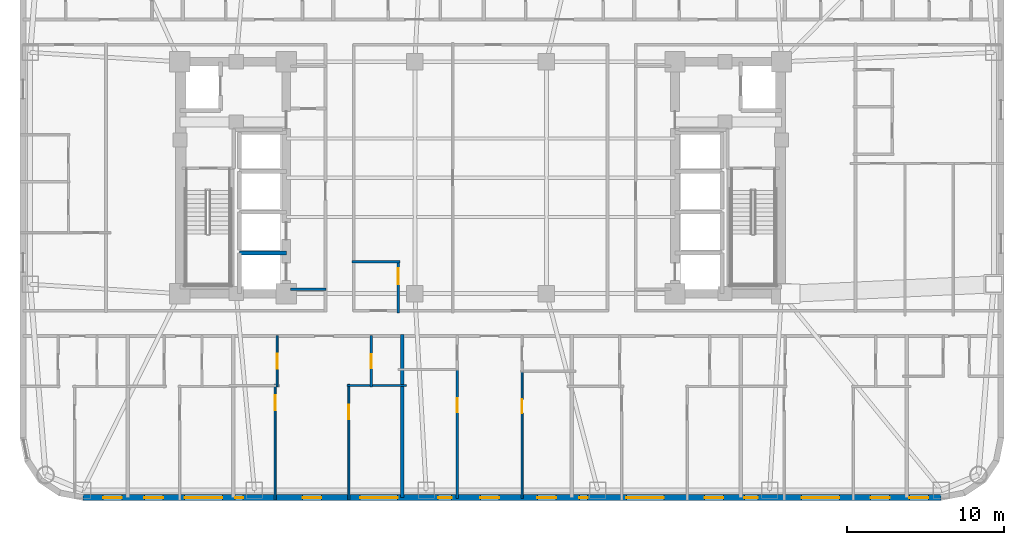
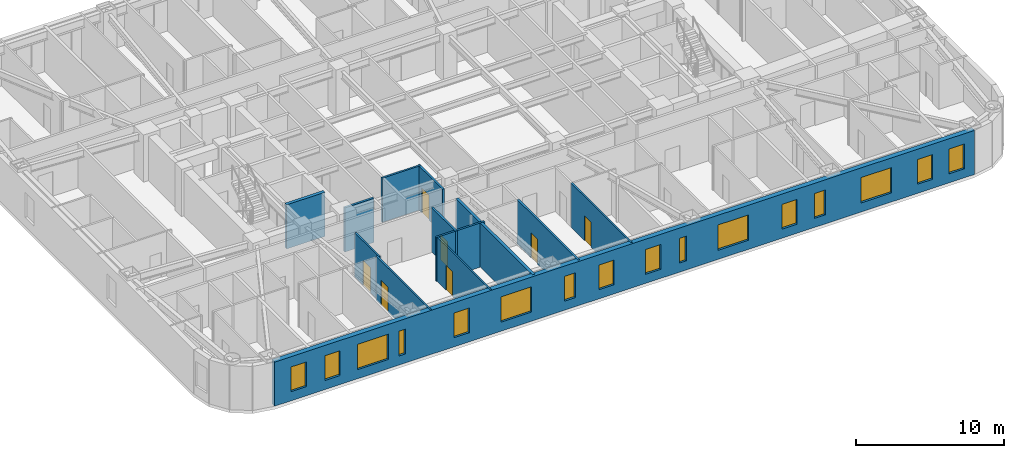
# One storey, part 3 of 11: 16 windows, 13 walls, 7 doors, 23 openings.
"""IFC4 building model written with IfcOpenShell, lengths in metres."""

from ifc_helpers import new_model, si_unit, direction, frame, frame_2d, origin, place, context, subcontext, project, spatial, rectangle, extrude, material, layer, layer_set, type_object, element, fill, save


model = new_model("IFC4")

# Units and contexts
model_context = context("Model", 3, precision=1e-05, world=origin(), true_north=direction((0.0, 1.0)))
body_context = subcontext(model_context, "Body", "Model", "MODEL_VIEW")
ifc_project = project(units=[si_unit("LENGTHUNIT", "METRE"), si_unit("AREAUNIT", "SQUARE_METRE"), si_unit("VOLUMEUNIT", "CUBIC_METRE"), si_unit("PLANEANGLEUNIT", "RADIAN"), si_unit("MASSUNIT", "GRAM", prefix="KILO")], contexts=[model_context])

# Site, building, storey
site_placement = place(None, origin())
site = spatial("IfcSite", under=ifc_project, at=site_placement, CompositionType="ELEMENT")
building_placement = place(site_placement, origin())
building = spatial("IfcBuilding", under=site, at=building_placement, Name="Voryun Gate Residences", CompositionType="ELEMENT")
storey_placement = place(building_placement, frame((0.0, 0.0, 105.300048828125)))
storey = spatial("IfcBuildingStorey", under=building, at=storey_placement, Name="L25", CompositionType="ELEMENT", Elevation=105.300048828125)

# Wall
ifc_material_1 = material(Name="Gypsum acoustic fireboard")
ifc_layer_1 = layer(ifc_material_1, 0.179931640625, Name="W_CORR_RATED_180")
ifc_layer_set_1 = layer_set([ifc_layer_1], Name="Gypsum acoustic fireboard")
wall_type_1 = type_object("IfcWallType", Name="W_CORR_RATED_180", PredefinedType="PARTITIONING", material=ifc_layer_set_1)
wall_1_placement = place(storey_placement, frame((-12.14990234375, -7.1201171875, 0.0), z_axis=(0.0, 0.0, 1.0), x_axis=(1.0, 0.0, 0.0)))
element("IfcWall", 1, at=wall_1_placement, inside=storey, type_object=wall_type_1, Name="Partition wall WP-L25-PLBS-W", PredefinedType="PARTITIONING", context=body_context, shape_type="SweptSolid", body=[
    extrude(rectangle(XDim=2.27001953125, YDim=0.179931640625, at=frame_2d((1.135009765625, 0.0))), origin(), (0.0, 0.0, 1.0), 3.64990234375),
])

# Wall, openings, windows
ifc_material_2 = material(Name="Granite masonry", Category="masonry")
ifc_layer_2 = layer(ifc_material_2, 0.3798828125, Name="W_EXT_GRANITE_380")
ifc_layer_set_2 = layer_set([ifc_layer_2], Name="Granite masonry")
wall_type_2 = type_object("IfcWallType", Name="W_EXT_GRANITE_380", PredefinedType="ELEMENTEDWALL", material=ifc_layer_set_2)
wall_2_placement = place(storey_placement, frame((29.38134765625, -20.409912109375, 0.0), z_axis=(0.0, 0.0, 1.0), x_axis=(-1.0, 0.0, 0.0)))
wall_2 = element("IfcWall", 2, at=wall_2_placement, inside=storey, type_object=wall_type_2, Name="Exterior wall WEXT-L25-01", PredefinedType="ELEMENTEDWALL", context=body_context, shape_type="SweptSolid", body=[
    extrude(rectangle(XDim=54.7626953125, YDim=0.3798828125, at=frame_2d((27.38134765625, 0.0))), origin(), (0.0, 0.0, 1.0), 3.64990234375),
])
opening_1_placement = place(wall_2_placement, frame((6.495361328125, 0.0, 0.75)))
opening_1 = element("IfcOpeningElement", 3, at=opening_1_placement, cuts=wall_2, Name="Opening WN2", PredefinedType="OPENING", context=body_context, shape_type="SweptSolid", body=[
    extrude(rectangle(XDim=2.39990234375, YDim=2.10009765625, at=frame_2d((1.199951171875, 1.050048828125))), frame((0.0, 0.199951171875, 0.0), z_axis=(0.0, -1.0, 0.0), x_axis=(1.0, 0.0, 0.0)), (0.0, 0.0, 1.0), 0.39990234375),
])
opening_2_placement = place(wall_2_placement, frame((17.68603515625, 0.0, 0.75)))
opening_2 = element("IfcOpeningElement", 4, at=opening_2_placement, cuts=wall_2, Name="Opening WN2", PredefinedType="OPENING", context=body_context, shape_type="SweptSolid", body=[
    extrude(rectangle(XDim=2.39990234375, YDim=2.10009765625, at=frame_2d((1.199951171875, 1.050048828125))), frame((0.0, 0.199951171875, 0.0), z_axis=(0.0, -1.0, 0.0), x_axis=(1.0, 0.0, 0.0)), (0.0, 0.0, 1.0), 0.39990234375),
])
opening_3_placement = place(wall_2_placement, frame((34.676513671875, 0.0, 0.75)))
opening_3 = element("IfcOpeningElement", 5, at=opening_3_placement, cuts=wall_2, Name="Opening WN2", PredefinedType="OPENING", context=body_context, shape_type="SweptSolid", body=[
    extrude(rectangle(XDim=2.39990234375, YDim=2.10009765625, at=frame_2d((1.199951171875, 1.050048828125))), frame((0.0, 0.199951171875, 0.0), z_axis=(0.0, -1.0, 0.0), x_axis=(1.0, 0.0, 0.0)), (0.0, 0.0, 1.0), 0.39990234375),
])
opening_4_placement = place(wall_2_placement, frame((45.8671875, 0.0, 0.75)))
opening_4 = element("IfcOpeningElement", 6, at=opening_4_placement, cuts=wall_2, Name="Opening WN2", PredefinedType="OPENING", context=body_context, shape_type="SweptSolid", body=[
    extrude(rectangle(XDim=2.39990234375, YDim=2.10009765625, at=frame_2d((1.199951171875, 1.050048828125))), frame((0.0, 0.199951171875, 0.0), z_axis=(0.0, -1.0, 0.0), x_axis=(1.0, 0.0, 0.0)), (0.0, 0.0, 1.0), 0.39990234375),
])
opening_5_placement = place(wall_2_placement, frame((52.281494140625, 0.0, 0.75)))
opening_5 = element("IfcOpeningElement", 7, at=opening_5_placement, cuts=wall_2, Name="Opening WN6", PredefinedType="OPENING", context=body_context, shape_type="SweptSolid", body=[
    extrude(rectangle(XDim=1.199951171875, YDim=2.050048828125, at=frame_2d((0.60009765625, 1.02490234375))), frame((0.0, 0.199951171875, 0.0), z_axis=(0.0, -1.0, 0.0), x_axis=(1.0, 0.0, 0.0)), (0.0, 0.0, 1.0), 0.39990234375),
])
opening_6_placement = place(wall_2_placement, frame((49.640869140625, 0.0, 0.75)))
opening_6 = element("IfcOpeningElement", 8, at=opening_6_placement, cuts=wall_2, Name="Opening WN6", PredefinedType="OPENING", context=body_context, shape_type="SweptSolid", body=[
    extrude(rectangle(XDim=1.199951171875, YDim=2.050048828125, at=frame_2d((0.60009765625, 1.02490234375))), frame((0.0, 0.199951171875, 0.0), z_axis=(0.0, -1.0, 0.0), x_axis=(1.0, 0.0, 0.0)), (0.0, 0.0, 1.0), 0.39990234375),
])
opening_7_placement = place(wall_2_placement, frame((39.542724609375, 0.0, 0.75)))
opening_7 = element("IfcOpeningElement", 9, at=opening_7_placement, cuts=wall_2, Name="Opening WN6", PredefinedType="OPENING", context=body_context, shape_type="SweptSolid", body=[
    extrude(rectangle(XDim=1.199951171875, YDim=2.050048828125, at=frame_2d((0.60009765625, 1.02490234375))), frame((0.0, 0.199951171875, 0.0), z_axis=(0.0, -1.0, 0.0), x_axis=(1.0, 0.0, 0.0)), (0.0, 0.0, 1.0), 0.39990234375),
])
opening_8_placement = place(wall_2_placement, frame((44.537841796875, 0.0, 0.75)))
opening_8 = element("IfcOpeningElement", 10, at=opening_8_placement, cuts=wall_2, Name="Opening WN10", PredefinedType="OPENING", context=body_context, shape_type="SweptSolid", body=[
    extrude(rectangle(XDim=0.52001953125, YDim=2.050048828125, at=frame_2d((0.260009765625, 1.02490234375))), frame((0.0, 0.199951171875, 0.0), z_axis=(0.0, -1.0, 0.0), x_axis=(1.0, 0.0, 0.0)), (0.0, 0.0, 1.0), 0.39990234375),
])
opening_9_placement = place(wall_2_placement, frame((28.206298828125, 0.0, 0.75)))
opening_9 = element("IfcOpeningElement", 11, at=opening_9_placement, cuts=wall_2, Name="Opening WN6", PredefinedType="OPENING", context=body_context, shape_type="SweptSolid", body=[
    extrude(rectangle(XDim=1.199951171875, YDim=2.050048828125, at=frame_2d((0.60009765625, 1.02490234375))), frame((0.0, 0.199951171875, 0.0), z_axis=(0.0, -1.0, 0.0), x_axis=(1.0, 0.0, 0.0)), (0.0, 0.0, 1.0), 0.39990234375),
])
opening_10_placement = place(wall_2_placement, frame((31.2412109375, 0.0, 0.75)))
opening_10 = element("IfcOpeningElement", 12, at=opening_10_placement, cuts=wall_2, Name="Opening WN9", PredefinedType="OPENING", context=body_context, shape_type="SweptSolid", body=[
    extrude(rectangle(XDim=0.85009765625, YDim=2.050048828125, at=frame_2d((0.425048828125, 1.02490234375))), frame((0.0, 0.199951171875, 0.0), z_axis=(0.0, -1.0, 0.0), x_axis=(1.0, 0.0, 0.0)), (0.0, 0.0, 1.0), 0.39990234375),
])
opening_11_placement = place(wall_2_placement, frame((24.561279296875, 0.0, 0.75)))
opening_11 = element("IfcOpeningElement", 13, at=opening_11_placement, cuts=wall_2, Name="Opening WN6", PredefinedType="OPENING", context=body_context, shape_type="SweptSolid", body=[
    extrude(rectangle(XDim=1.199951171875, YDim=2.050048828125, at=frame_2d((0.60009765625, 1.02490234375))), frame((0.0, 0.199951171875, 0.0), z_axis=(0.0, -1.0, 0.0), x_axis=(1.0, 0.0, 0.0)), (0.0, 0.0, 1.0), 0.39990234375),
])
opening_12_placement = place(wall_2_placement, frame((22.561279296875, 0.0, 0.75)))
opening_12 = element("IfcOpeningElement", 14, at=opening_12_placement, cuts=wall_2, Name="Opening WN10", PredefinedType="OPENING", context=body_context, shape_type="SweptSolid", body=[
    extrude(rectangle(XDim=0.52001953125, YDim=2.050048828125, at=frame_2d((0.260009765625, 1.02490234375))), frame((0.0, 0.199951171875, 0.0), z_axis=(0.0, -1.0, 0.0), x_axis=(1.0, 0.0, 0.0)), (0.0, 0.0, 1.0), 0.39990234375),
])
opening_13_placement = place(wall_2_placement, frame((13.88623046875, 0.0, 0.75)))
opening_13 = element("IfcOpeningElement", 15, at=opening_13_placement, cuts=wall_2, Name="Opening WN6", PredefinedType="OPENING", context=body_context, shape_type="SweptSolid", body=[
    extrude(rectangle(XDim=1.199951171875, YDim=2.050048828125, at=frame_2d((0.60009765625, 1.02490234375))), frame((0.0, 0.199951171875, 0.0), z_axis=(0.0, -1.0, 0.0), x_axis=(1.0, 0.0, 0.0)), (0.0, 0.0, 1.0), 0.39990234375),
])
opening_14_placement = place(wall_2_placement, frame((11.6943359375, 0.0, 0.75)))
opening_14 = element("IfcOpeningElement", 16, at=opening_14_placement, cuts=wall_2, Name="Opening WN9", PredefinedType="OPENING", context=body_context, shape_type="SweptSolid", body=[
    extrude(rectangle(XDim=0.85009765625, YDim=2.050048828125, at=frame_2d((0.425048828125, 1.02490234375))), frame((0.0, 0.199951171875, 0.0), z_axis=(0.0, -1.0, 0.0), x_axis=(1.0, 0.0, 0.0)), (0.0, 0.0, 1.0), 0.39990234375),
])
opening_15_placement = place(wall_2_placement, frame((3.286376953125, 0.0, 0.75)))
opening_15 = element("IfcOpeningElement", 17, at=opening_15_placement, cuts=wall_2, Name="Opening WN6", PredefinedType="OPENING", context=body_context, shape_type="SweptSolid", body=[
    extrude(rectangle(XDim=1.199951171875, YDim=2.050048828125, at=frame_2d((0.60009765625, 1.02490234375))), frame((0.0, 0.199951171875, 0.0), z_axis=(0.0, -1.0, 0.0), x_axis=(1.0, 0.0, 0.0)), (0.0, 0.0, 1.0), 0.39990234375),
])
opening_16_placement = place(wall_2_placement, frame((0.815673828125, 0.0, 0.75)))
opening_16 = element("IfcOpeningElement", 18, at=opening_16_placement, cuts=wall_2, Name="Opening WN6", PredefinedType="OPENING", context=body_context, shape_type="SweptSolid", body=[
    extrude(rectangle(XDim=1.199951171875, YDim=2.050048828125, at=frame_2d((0.60009765625, 1.02490234375))), frame((0.0, 0.199951171875, 0.0), z_axis=(0.0, -1.0, 0.0), x_axis=(1.0, 0.0, 0.0)), (0.0, 0.0, 1.0), 0.39990234375),
])
ifc_material_3 = material(Name="Laminated low-E glass", Category="glass")
window_type_1 = type_object("IfcWindowType", Name="WN_PAGODA_LANCET_520", PartitioningType="SINGLE_PANEL", PredefinedType="WINDOW", material=ifc_material_3)
window_1_placement = place(opening_8_placement, origin())
window_1 = element("IfcWindow", 19, at=window_1_placement, inside=storey, type_object=window_type_1, Name="Window WN-L25-DWFIX-20", OverallHeight=2.050048828125, OverallWidth=0.52001953125, PartitioningType="SINGLE_PANEL", PredefinedType="WINDOW", context=body_context, shape_type="SweptSolid", body=[
    extrude(rectangle(XDim=0.52001953125, YDim=2.050048828125, at=frame_2d((0.260009765625, 1.02490234375))), frame((0.0, 0.030029296875, 0.0), z_axis=(0.0, -1.0, 0.0), x_axis=(1.0, 0.0, 0.0)), (0.0, 0.0, 1.0), 0.06005859375),
])
fill(opening_8, window_1)
window_2_placement = place(opening_12_placement, origin())
window_2 = element("IfcWindow", 20, at=window_2_placement, inside=storey, type_object=window_type_1, Name="Window WN-L25-DWFIX-24", OverallHeight=2.050048828125, OverallWidth=0.52001953125, PartitioningType="SINGLE_PANEL", PredefinedType="WINDOW", context=body_context, shape_type="SweptSolid", body=[
    extrude(rectangle(XDim=0.52001953125, YDim=2.050048828125, at=frame_2d((0.260009765625, 1.02490234375))), frame((0.0, 0.030029296875, 0.0), z_axis=(0.0, -1.0, 0.0), x_axis=(1.0, 0.0, 0.0)), (0.0, 0.0, 1.0), 0.06005859375),
])
fill(opening_12, window_2)
ifc_material_4 = material(Name="Laminated low-E glass", Category="glass")
window_type_2 = type_object("IfcWindowType", Name="WN_POD_SLOT_1200", PartitioningType="SINGLE_PANEL", PredefinedType="WINDOW", material=ifc_material_4)
window_3_placement = place(opening_5_placement, origin())
window_3 = element("IfcWindow", 21, at=window_3_placement, inside=storey, type_object=window_type_2, Name="Window WN-L25-DWFIX-17", OverallHeight=2.050048828125, OverallWidth=1.199951171875, PartitioningType="SINGLE_PANEL", PredefinedType="WINDOW", context=body_context, shape_type="SweptSolid", body=[
    extrude(rectangle(XDim=1.199951171875, YDim=2.050048828125, at=frame_2d((0.60009765625, 1.02490234375))), frame((0.0, 0.030029296875, 0.0), z_axis=(0.0, -1.0, 0.0), x_axis=(1.0, 0.0, 0.0)), (0.0, 0.0, 1.0), 0.06005859375),
])
fill(opening_5, window_3)
window_4_placement = place(opening_6_placement, origin())
window_4 = element("IfcWindow", 22, at=window_4_placement, inside=storey, type_object=window_type_2, Name="Window WN-L25-DWFIX-18", OverallHeight=2.050048828125, OverallWidth=1.199951171875, PartitioningType="SINGLE_PANEL", PredefinedType="WINDOW", context=body_context, shape_type="SweptSolid", body=[
    extrude(rectangle(XDim=1.199951171875, YDim=2.050048828125, at=frame_2d((0.60009765625, 1.02490234375))), frame((0.0, 0.030029296875, 0.0), z_axis=(0.0, -1.0, 0.0), x_axis=(1.0, 0.0, 0.0)), (0.0, 0.0, 1.0), 0.06005859375),
])
fill(opening_6, window_4)
window_5_placement = place(opening_7_placement, origin())
window_5 = element("IfcWindow", 23, at=window_5_placement, inside=storey, type_object=window_type_2, Name="Window WN-L25-DWFIX-19", OverallHeight=2.050048828125, OverallWidth=1.199951171875, PartitioningType="SINGLE_PANEL", PredefinedType="WINDOW", context=body_context, shape_type="SweptSolid", body=[
    extrude(rectangle(XDim=1.199951171875, YDim=2.050048828125, at=frame_2d((0.60009765625, 1.02490234375))), frame((0.0, 0.030029296875, 0.0), z_axis=(0.0, -1.0, 0.0), x_axis=(1.0, 0.0, 0.0)), (0.0, 0.0, 1.0), 0.06005859375),
])
fill(opening_7, window_5)
window_6_placement = place(opening_9_placement, origin())
window_6 = element("IfcWindow", 24, at=window_6_placement, inside=storey, type_object=window_type_2, Name="Window WN-L25-DWFIX-21", OverallHeight=2.050048828125, OverallWidth=1.199951171875, PartitioningType="SINGLE_PANEL", PredefinedType="WINDOW", context=body_context, shape_type="SweptSolid", body=[
    extrude(rectangle(XDim=1.199951171875, YDim=2.050048828125, at=frame_2d((0.60009765625, 1.02490234375))), frame((0.0, 0.030029296875, 0.0), z_axis=(0.0, -1.0, 0.0), x_axis=(1.0, 0.0, 0.0)), (0.0, 0.0, 1.0), 0.06005859375),
])
fill(opening_9, window_6)
window_7_placement = place(opening_11_placement, origin())
window_7 = element("IfcWindow", 25, at=window_7_placement, inside=storey, type_object=window_type_2, Name="Window WN-L25-DWFIX-23", OverallHeight=2.050048828125, OverallWidth=1.199951171875, PartitioningType="SINGLE_PANEL", PredefinedType="WINDOW", context=body_context, shape_type="SweptSolid", body=[
    extrude(rectangle(XDim=1.199951171875, YDim=2.050048828125, at=frame_2d((0.60009765625, 1.02490234375))), frame((0.0, 0.030029296875, 0.0), z_axis=(0.0, -1.0, 0.0), x_axis=(1.0, 0.0, 0.0)), (0.0, 0.0, 1.0), 0.06005859375),
])
fill(opening_11, window_7)
window_8_placement = place(opening_13_placement, origin())
window_8 = element("IfcWindow", 26, at=window_8_placement, inside=storey, type_object=window_type_2, Name="Window WN-L25-DWFIX-25", OverallHeight=2.050048828125, OverallWidth=1.199951171875, PartitioningType="SINGLE_PANEL", PredefinedType="WINDOW", context=body_context, shape_type="SweptSolid", body=[
    extrude(rectangle(XDim=1.199951171875, YDim=2.050048828125, at=frame_2d((0.60009765625, 1.02490234375))), frame((0.0, 0.030029296875, 0.0), z_axis=(0.0, -1.0, 0.0), x_axis=(1.0, 0.0, 0.0)), (0.0, 0.0, 1.0), 0.06005859375),
])
fill(opening_13, window_8)
window_9_placement = place(opening_15_placement, origin())
window_9 = element("IfcWindow", 27, at=window_9_placement, inside=storey, type_object=window_type_2, Name="Window WN-L25-DWFIX-27", OverallHeight=2.050048828125, OverallWidth=1.199951171875, PartitioningType="SINGLE_PANEL", PredefinedType="WINDOW", context=body_context, shape_type="SweptSolid", body=[
    extrude(rectangle(XDim=1.199951171875, YDim=2.050048828125, at=frame_2d((0.60009765625, 1.02490234375))), frame((0.0, 0.030029296875, 0.0), z_axis=(0.0, -1.0, 0.0), x_axis=(1.0, 0.0, 0.0)), (0.0, 0.0, 1.0), 0.06005859375),
])
fill(opening_15, window_9)
window_10_placement = place(opening_16_placement, origin())
window_10 = element("IfcWindow", 28, at=window_10_placement, inside=storey, type_object=window_type_2, Name="Window WN-L25-DWFIX-28", OverallHeight=2.050048828125, OverallWidth=1.199951171875, PartitioningType="SINGLE_PANEL", PredefinedType="WINDOW", context=body_context, shape_type="SweptSolid", body=[
    extrude(rectangle(XDim=1.199951171875, YDim=2.050048828125, at=frame_2d((0.60009765625, 1.02490234375))), frame((0.0, 0.030029296875, 0.0), z_axis=(0.0, -1.0, 0.0), x_axis=(1.0, 0.0, 0.0)), (0.0, 0.0, 1.0), 0.06005859375),
])
fill(opening_16, window_10)
ifc_material_5 = material(Name="Laminated low-E glass", Category="glass")
window_type_3 = type_object("IfcWindowType", Name="WN_RES_CASEMENT_850", PartitioningType="SINGLE_PANEL", PredefinedType="WINDOW", material=ifc_material_5)
window_11_placement = place(opening_10_placement, origin())
window_11 = element("IfcWindow", 29, at=window_11_placement, inside=storey, type_object=window_type_3, Name="Window WN-L25-DWFIX-22", OverallHeight=2.050048828125, OverallWidth=0.85009765625, PartitioningType="SINGLE_PANEL", PredefinedType="WINDOW", context=body_context, shape_type="SweptSolid", body=[
    extrude(rectangle(XDim=0.85009765625, YDim=2.050048828125, at=frame_2d((0.425048828125, 1.02490234375))), frame((0.0, 0.030029296875, 0.0), z_axis=(0.0, -1.0, 0.0), x_axis=(1.0, 0.0, 0.0)), (0.0, 0.0, 1.0), 0.06005859375),
])
fill(opening_10, window_11)
window_12_placement = place(opening_14_placement, origin())
window_12 = element("IfcWindow", 30, at=window_12_placement, inside=storey, type_object=window_type_3, Name="Window WN-L25-DWFIX-26", OverallHeight=2.050048828125, OverallWidth=0.85009765625, PartitioningType="SINGLE_PANEL", PredefinedType="WINDOW", context=body_context, shape_type="SweptSolid", body=[
    extrude(rectangle(XDim=0.85009765625, YDim=2.050048828125, at=frame_2d((0.425048828125, 1.02490234375))), frame((0.0, 0.030029296875, 0.0), z_axis=(0.0, -1.0, 0.0), x_axis=(1.0, 0.0, 0.0)), (0.0, 0.0, 1.0), 0.06005859375),
])
fill(opening_14, window_12)
ifc_material_6 = material(Name="Laminated low-E glass", Category="glass")
window_type_4 = type_object("IfcWindowType", Name="WN_RES_WIDE_2400", PartitioningType="SINGLE_PANEL", PredefinedType="WINDOW", material=ifc_material_6)
window_13_placement = place(opening_1_placement, origin())
window_13 = element("IfcWindow", 31, at=window_13_placement, inside=storey, type_object=window_type_4, Name="Window WN-WEXT-L25-01-01", OverallHeight=2.10009765625, OverallWidth=2.39990234375, PartitioningType="SINGLE_PANEL", PredefinedType="WINDOW", context=body_context, shape_type="SweptSolid", body=[
    extrude(rectangle(XDim=2.39990234375, YDim=2.10009765625, at=frame_2d((1.199951171875, 1.050048828125))), frame((0.0, 0.030029296875, 0.0), z_axis=(0.0, -1.0, 0.0), x_axis=(1.0, 0.0, 0.0)), (0.0, 0.0, 1.0), 0.06005859375),
])
fill(opening_1, window_13)
window_14_placement = place(opening_2_placement, origin())
window_14 = element("IfcWindow", 32, at=window_14_placement, inside=storey, type_object=window_type_4, Name="Window WN-WEXT-L25-01-02", OverallHeight=2.10009765625, OverallWidth=2.39990234375, PartitioningType="SINGLE_PANEL", PredefinedType="WINDOW", context=body_context, shape_type="SweptSolid", body=[
    extrude(rectangle(XDim=2.39990234375, YDim=2.10009765625, at=frame_2d((1.199951171875, 1.050048828125))), frame((0.0, 0.030029296875, 0.0), z_axis=(0.0, -1.0, 0.0), x_axis=(1.0, 0.0, 0.0)), (0.0, 0.0, 1.0), 0.06005859375),
])
fill(opening_2, window_14)
window_15_placement = place(opening_3_placement, origin())
window_15 = element("IfcWindow", 33, at=window_15_placement, inside=storey, type_object=window_type_4, Name="Window WN-WEXT-L25-01-03", OverallHeight=2.10009765625, OverallWidth=2.39990234375, PartitioningType="SINGLE_PANEL", PredefinedType="WINDOW", context=body_context, shape_type="SweptSolid", body=[
    extrude(rectangle(XDim=2.39990234375, YDim=2.10009765625, at=frame_2d((1.199951171875, 1.050048828125))), frame((0.0, 0.030029296875, 0.0), z_axis=(0.0, -1.0, 0.0), x_axis=(1.0, 0.0, 0.0)), (0.0, 0.0, 1.0), 0.06005859375),
])
fill(opening_3, window_15)
window_16_placement = place(opening_4_placement, origin())
window_16 = element("IfcWindow", 34, at=window_16_placement, inside=storey, type_object=window_type_4, Name="Window WN-WEXT-L25-01-04", OverallHeight=2.10009765625, OverallWidth=2.39990234375, PartitioningType="SINGLE_PANEL", PredefinedType="WINDOW", context=body_context, shape_type="SweptSolid", body=[
    extrude(rectangle(XDim=2.39990234375, YDim=2.10009765625, at=frame_2d((1.199951171875, 1.050048828125))), frame((0.0, 0.030029296875, 0.0), z_axis=(0.0, -1.0, 0.0), x_axis=(1.0, 0.0, 0.0)), (0.0, 0.0, 1.0), 0.06005859375),
])
fill(opening_4, window_16)

# Walls
ifc_material_7 = material(Name="Concrete C40/50", Category="concrete")
ifc_layer_3 = layer(ifc_material_7, 0.219970703125, Name="W_PARTY_ACOUSTIC_220")
ifc_layer_set_3 = layer_set([ifc_layer_3], Name="Concrete C40/50")
wall_type_3 = type_object("IfcWallType", Name="W_PARTY_ACOUSTIC_220", PredefinedType="PARTITIONING", material=ifc_layer_set_3)
wall_3_placement = place(storey_placement, frame((-5.0, -20.409912109375, 0.0), z_axis=(0.0, 0.0, 1.0), x_axis=(0.0, 1.0, 0.0)))
element("IfcWall", 35, at=wall_3_placement, inside=storey, type_object=wall_type_3, Name="Partition wall WP-L25-SPTY-3", PredefinedType="PARTITIONING", context=body_context, shape_type="SweptSolid", body=[
    extrude(rectangle(XDim=10.389892578125, YDim=0.219970703125, at=frame_2d((5.19482421875, 0.0))), origin(), (0.0, 0.0, 1.0), 3.64990234375),
])
ifc_material_8 = material(Name="Concrete C50/60", Category="concrete")
ifc_layer_4 = layer(ifc_material_8, 0.25, Name="W_SHAFT_RC250")
ifc_layer_set_4 = layer_set([ifc_layer_4], Name="Concrete C50/60")
wall_type_4 = type_object("IfcWallType", Name="W_SHAFT_RC250", PredefinedType="SOLIDWALL", material=ifc_layer_set_4)
wall_4_placement = place(storey_placement, frame((-12.39990234375, -4.800048828125, 0.0), z_axis=(0.0, 0.0, 1.0), x_axis=(-1.0, 0.0, 0.0)))
element("IfcWall", 36, at=wall_4_placement, inside=storey, type_object=wall_type_4, Name="Lift shaft wall WSH-L25-EL-P1-N", PredefinedType="SOLIDWALL", context=body_context, shape_type="SweptSolid", body=[
    extrude(rectangle(XDim=3.0, YDim=0.25, at=frame_2d((1.5, 0.0))), origin(), (0.0, 0.0, 1.0), 3.64990234375),
])

# Wall, opening, door
ifc_material_9 = material(Name="Gypsum acoustic partition")
ifc_layer_5 = layer(ifc_material_9, 0.125, Name="W_UNIT_PART_125")
ifc_layer_set_5 = layer_set([ifc_layer_5], Name="Gypsum acoustic partition")
wall_type_5 = type_object("IfcWallType", Name="W_UNIT_PART_125", PredefinedType="PARTITIONING", material=ifc_layer_set_5)
wall_5_placement = place(storey_placement, frame((-13.113037109375, -20.56005859375, 0.0), z_axis=(0.0, 0.0, 1.0), x_axis=(0.0, 1.0, 0.0)))
wall_5 = element("IfcWall", 37, at=wall_5_placement, inside=storey, type_object=wall_type_5, Name="Partition wall WP-L25-S3-OVL", PredefinedType="PARTITIONING", context=body_context, shape_type="SweptSolid", body=[
    extrude(rectangle(XDim=7.379150390625, YDim=0.125, at=frame_2d((3.689453125, 0.0))), origin(), (0.0, 0.0, 1.0), 3.64990234375),
])
opening_17_placement = place(wall_5_placement, frame((5.723388671875, 0.0, 0.0)))
opening_17 = element("IfcOpeningElement", 38, at=opening_17_placement, cuts=wall_5, Name="Opening D-INT-1", PredefinedType="OPENING", context=body_context, shape_type="SweptSolid", body=[
    extrude(rectangle(XDim=0.949951171875, YDim=2.050048828125, at=frame_2d((0.47509765625, 1.02490234375))), frame((0.0, 0.072509765625, 0.0), z_axis=(0.0, -1.0, 0.0), x_axis=(1.0, 0.0, 0.0)), (0.0, 0.0, 1.0), 0.14501953125),
])
ifc_material_10 = material(Name="Architectural oak veneer")
door_type_1 = type_object("IfcDoorType", Name="DR_INT_ROOM_950", OperationType="NOTDEFINED", PredefinedType="DOOR", material=ifc_material_10)
door_1_placement = place(opening_17_placement, origin())
door_1 = element("IfcDoor", 39, at=door_1_placement, inside=storey, type_object=door_type_1, Name="Door DR-L25-S3-DB2", OperationType="SINGLE_SWING_LEFT", OverallHeight=2.050048828125, OverallWidth=0.949951171875, PredefinedType="DOOR", context=body_context, shape_type="SweptSolid", body=[
    extrude(rectangle(XDim=0.949951171875, YDim=2.050048828125, at=frame_2d((0.47509765625, 1.02490234375))), frame((0.0, 0.02490234375, 0.0), z_axis=(0.0, -1.0, 0.0), x_axis=(1.0, 0.0, 0.0)), (0.0, 0.0, 1.0), 0.050048828125),
])
fill(opening_17, door_1)

wall_6_placement = place(storey_placement, frame((-8.409912109375, -20.56005859375, 0.0), z_axis=(0.0, 0.0, 1.0), x_axis=(0.0, 1.0, 0.0)))
wall_6 = element("IfcWall", 40, at=wall_6_placement, inside=storey, type_object=wall_type_5, Name="Partition wall WP-L25-S3-OVR", PredefinedType="PARTITIONING", context=body_context, shape_type="SweptSolid", body=[
    extrude(rectangle(XDim=7.379150390625, YDim=0.125, at=frame_2d((3.689453125, 0.0))), origin(), (0.0, 0.0, 1.0), 3.64990234375),
])
opening_18_placement = place(wall_6_placement, frame((5.157958984375, 0.0, 0.0)))
opening_18 = element("IfcOpeningElement", 41, at=opening_18_placement, cuts=wall_6, Name="Opening D-INT-2", PredefinedType="OPENING", context=body_context, shape_type="SweptSolid", body=[
    extrude(rectangle(XDim=0.89990234375, YDim=2.050048828125, at=frame_2d((0.449951171875, 1.02490234375))), frame((0.0, 0.072509765625, 0.0), z_axis=(0.0, -1.0, 0.0), x_axis=(1.0, 0.0, 0.0)), (0.0, 0.0, 1.0), 0.14501953125),
])
ifc_material_11 = material(Name="Architectural oak veneer")
door_type_2 = type_object("IfcDoorType", Name="DR_INT_BATH_900", OperationType="NOTDEFINED", PredefinedType="DOOR", material=ifc_material_11)
door_2_placement = place(opening_18_placement, origin())
door_2 = element("IfcDoor", 42, at=door_2_placement, inside=storey, type_object=door_type_2, Name="Door DR-L25-S3-DMB", OperationType="SINGLE_SWING_RIGHT", OverallHeight=2.050048828125, OverallWidth=0.89990234375, PredefinedType="DOOR", context=body_context, shape_type="SweptSolid", body=[
    extrude(rectangle(XDim=0.89990234375, YDim=2.050048828125, at=frame_2d((0.449951171875, 1.02490234375))), frame((0.0, 0.02490234375, 0.0), z_axis=(0.0, -1.0, 0.0), x_axis=(1.0, 0.0, 0.0)), (0.0, 0.0, 1.0), 0.050048828125),
])
fill(opening_18, door_2)

wall_7_placement = place(storey_placement, frame((-12.985107421875, -13.341064453125, 0.0), z_axis=(0.0, 0.0, 1.0), x_axis=(0.0, 1.0, 0.0)))
wall_7 = element("IfcWall", 43, at=wall_7_placement, inside=storey, type_object=wall_type_5, Name="Partition wall WP-L25-S3-IVK", PredefinedType="PARTITIONING", context=body_context, shape_type="SweptSolid", body=[
    extrude(rectangle(XDim=3.260986328125, YDim=0.125, at=frame_2d((1.63037109375, 0.0))), origin(), (0.0, 0.0, 1.0), 3.64990234375),
])
opening_19_placement = place(wall_7_placement, frame((1.155517578125, 0.0, 0.0)))
opening_19 = element("IfcOpeningElement", 44, at=opening_19_placement, cuts=wall_7, Name="Opening D-INT-1", PredefinedType="OPENING", context=body_context, shape_type="SweptSolid", body=[
    extrude(rectangle(XDim=0.949951171875, YDim=2.050048828125, at=frame_2d((0.47509765625, 1.02490234375))), frame((0.0, 0.072509765625, 0.0), z_axis=(0.0, -1.0, 0.0), x_axis=(1.0, 0.0, 0.0)), (0.0, 0.0, 1.0), 0.14501953125),
])
door_3_placement = place(opening_19_placement, origin())
door_3 = element("IfcDoor", 45, at=door_3_placement, inside=storey, type_object=door_type_1, Name="Door DR-L25-S3-DK", OperationType="SINGLE_SWING_LEFT", OverallHeight=2.050048828125, OverallWidth=0.949951171875, PredefinedType="DOOR", context=body_context, shape_type="SweptSolid", body=[
    extrude(rectangle(XDim=0.949951171875, YDim=2.050048828125, at=frame_2d((0.47509765625, 1.02490234375))), frame((0.0, 0.02490234375, 0.0), z_axis=(0.0, -1.0, 0.0), x_axis=(1.0, 0.0, 0.0)), (0.0, 0.0, 1.0), 0.050048828125),
])
fill(opening_19, door_3)

wall_8_placement = place(storey_placement, frame((2.639892578125, -20.45751953125, 0.0), z_axis=(0.0, 0.0, 1.0), x_axis=(0.0, 1.0, 0.0)))
wall_8 = element("IfcWall", 46, at=wall_8_placement, inside=storey, type_object=wall_type_5, Name="Partition wall WP-L25-S4-RVX1", PredefinedType="PARTITIONING", context=body_context, shape_type="SweptSolid", body=[
    extrude(rectangle(XDim=8.157470703125, YDim=0.125, at=frame_2d((4.07861328125, 0.0))), origin(), (0.0, 0.0, 1.0), 3.64990234375),
])
opening_20_placement = place(wall_8_placement, frame((5.423583984375, 0.0, 0.0)))
opening_20 = element("IfcOpeningElement", 47, at=opening_20_placement, cuts=wall_8, Name="Opening D-INT-2", PredefinedType="OPENING", context=body_context, shape_type="SweptSolid", body=[
    extrude(rectangle(XDim=0.89990234375, YDim=2.050048828125, at=frame_2d((0.449951171875, 1.02490234375))), frame((0.0, 0.072509765625, 0.0), z_axis=(0.0, -1.0, 0.0), x_axis=(1.0, 0.0, 0.0)), (0.0, 0.0, 1.0), 0.14501953125),
])
door_4_placement = place(opening_20_placement, origin())
door_4 = element("IfcDoor", 48, at=door_4_placement, inside=storey, type_object=door_type_2, Name="Door DR-L25-S4-DB2", OperationType="SINGLE_SWING_RIGHT", OverallHeight=2.050048828125, OverallWidth=0.89990234375, PredefinedType="DOOR", context=body_context, shape_type="SweptSolid", body=[
    extrude(rectangle(XDim=0.89990234375, YDim=2.050048828125, at=frame_2d((0.449951171875, 1.02490234375))), frame((0.0, 0.02490234375, 0.0), z_axis=(0.0, -1.0, 0.0), x_axis=(1.0, 0.0, 0.0)), (0.0, 0.0, 1.0), 0.050048828125),
])
fill(opening_20, door_4)

ifc_material_12 = material(Name="Gypsum moisture-resistant partition")
ifc_layer_6 = layer(ifc_material_12, 0.14990234375, Name="W_WET_PLUMB_150")
ifc_layer_set_6 = layer_set([ifc_layer_6], Name="Gypsum moisture-resistant partition")
wall_type_6 = type_object("IfcWallType", Name="W_WET_PLUMB_150", PredefinedType="PLUMBINGWALL", material=ifc_layer_set_6)
wall_9_placement = place(storey_placement, frame((-5.260009765625, -8.6201171875, 0.0), z_axis=(0.0, 0.0, 1.0), x_axis=(0.0, 1.0, 0.0)))
wall_9 = element("IfcWall", 49, at=wall_9_placement, inside=storey, type_object=wall_type_6, Name="Partition wall WP-L25-CMWCX", PredefinedType="PLUMBINGWALL", context=body_context, shape_type="SweptSolid", body=[
    extrude(rectangle(XDim=3.35009765625, YDim=0.14990234375, at=frame_2d((1.675048828125, 0.0))), origin(), (0.0, 0.0, 1.0), 3.64990234375),
])
opening_21_placement = place(wall_9_placement, frame((1.8349609375, 0.0, 0.0)))
opening_21 = element("IfcOpeningElement", 50, at=opening_21_placement, cuts=wall_9, Name="Opening D-AWC-1", PredefinedType="OPENING", context=body_context, shape_type="SweptSolid", body=[
    extrude(rectangle(XDim=1.0, YDim=2.050048828125, at=frame_2d((0.5, 1.02490234375))), frame((0.0, 0.0849609375, 0.0), z_axis=(0.0, -1.0, 0.0), x_axis=(1.0, 0.0, 0.0)), (0.0, 0.0, 1.0), 0.169921875),
])
ifc_material_13 = material(Name="Architectural oak veneer")
door_type_3 = type_object("IfcDoorType", Name="DR_ACC_WC_1000", OperationType="NOTDEFINED", PredefinedType="DOOR", material=ifc_material_13)
door_5_placement = place(opening_21_placement, origin())
door_5 = element("IfcDoor", 51, at=door_5_placement, inside=storey, type_object=door_type_3, Name="Door DR-L25-CMWC", OperationType="SINGLE_SWING_LEFT", OverallHeight=2.050048828125, OverallWidth=1.0, PredefinedType="DOOR", context=body_context, shape_type="SweptSolid", body=[
    extrude(rectangle(XDim=1.0, YDim=2.050048828125, at=frame_2d((0.5, 1.02490234375))), frame((0.0, 0.02490234375, 0.0), z_axis=(0.0, -1.0, 0.0), x_axis=(1.0, 0.0, 0.0)), (0.0, 0.0, 1.0), 0.050048828125),
])
fill(opening_21, door_5)

# Walls
wall_10_placement = place(storey_placement, frame((-8.2099609375, -5.3701171875, 0.0), z_axis=(0.0, 0.0, 1.0), x_axis=(1.0, 0.0, 0.0)))
element("IfcWall", 52, at=wall_10_placement, inside=storey, type_object=wall_type_6, Name="Partition wall WP-L25-CMWCY", PredefinedType="PLUMBINGWALL", context=body_context, shape_type="SweptSolid", body=[
    extrude(rectangle(XDim=3.050048828125, YDim=0.14990234375, at=frame_2d((1.52490234375, 0.0))), origin(), (0.0, 0.0, 1.0), 3.64990234375),
])
wall_11_placement = place(storey_placement, frame((-8.530029296875, -13.260986328125, 0.0), z_axis=(0.0, 0.0, 1.0), x_axis=(1.0, 0.0, 0.0)))
element("IfcWall", 53, at=wall_11_placement, inside=storey, type_object=wall_type_6, Name="Partition wall WP-L25-S3-HZB", PredefinedType="PLUMBINGWALL", context=body_context, shape_type="SweptSolid", body=[
    extrude(rectangle(XDim=3.7900390625, YDim=0.14990234375, at=frame_2d((1.89501953125, 0.0))), origin(), (0.0, 0.0, 1.0), 3.64990234375),
])

# Wall, opening, door
wall_12_placement = place(storey_placement, frame((-6.97998046875, -13.341064453125, 0.0), z_axis=(0.0, 0.0, 1.0), x_axis=(0.0, 1.0, 0.0)))
wall_12 = element("IfcWall", 54, at=wall_12_placement, inside=storey, type_object=wall_type_6, Name="Partition wall WP-L25-S3-IVB", PredefinedType="PLUMBINGWALL", context=body_context, shape_type="SweptSolid", body=[
    extrude(rectangle(XDim=3.260986328125, YDim=0.14990234375, at=frame_2d((1.63037109375, 0.0))), origin(), (0.0, 0.0, 1.0), 3.64990234375),
])
opening_22_placement = place(wall_12_placement, frame((1.180419921875, 0.0, 0.0)))
opening_22 = element("IfcOpeningElement", 55, at=opening_22_placement, cuts=wall_12, Name="Opening D-INT-2", PredefinedType="OPENING", context=body_context, shape_type="SweptSolid", body=[
    extrude(rectangle(XDim=0.89990234375, YDim=2.050048828125, at=frame_2d((0.449951171875, 1.02490234375))), frame((0.0, 0.0849609375, 0.0), z_axis=(0.0, -1.0, 0.0), x_axis=(1.0, 0.0, 0.0)), (0.0, 0.0, 1.0), 0.169921875),
])
door_6_placement = place(opening_22_placement, origin())
door_6 = element("IfcDoor", 56, at=door_6_placement, inside=storey, type_object=door_type_2, Name="Door DR-L25-S3-DB", OperationType="SINGLE_SWING_RIGHT", OverallHeight=2.050048828125, OverallWidth=0.89990234375, PredefinedType="DOOR", context=body_context, shape_type="SweptSolid", body=[
    extrude(rectangle(XDim=0.89990234375, YDim=2.050048828125, at=frame_2d((0.449951171875, 1.02490234375))), frame((0.0, 0.02490234375, 0.0), z_axis=(0.0, -1.0, 0.0), x_axis=(1.0, 0.0, 0.0)), (0.0, 0.0, 1.0), 0.050048828125),
])
fill(opening_22, door_6)

wall_13_placement = place(storey_placement, frame((-1.489990234375, -20.45751953125, 0.0), z_axis=(0.0, 0.0, 1.0), x_axis=(0.0, 1.0, 0.0)))
wall_13 = element("IfcWall", 57, at=wall_13_placement, inside=storey, type_object=wall_type_6, Name="Partition wall WP-L25-S4-LVX1", PredefinedType="PLUMBINGWALL", context=body_context, shape_type="SweptSolid", body=[
    extrude(rectangle(XDim=8.257568359375, YDim=0.14990234375, at=frame_2d((4.12890625, 0.0))), origin(), (0.0, 0.0, 1.0), 3.64990234375),
])
opening_23_placement = place(wall_13_placement, frame((5.49560546875, 0.0, 0.0)))
opening_23 = element("IfcOpeningElement", 58, at=opening_23_placement, cuts=wall_13, Name="Opening D-INT-2", PredefinedType="OPENING", context=body_context, shape_type="SweptSolid", body=[
    extrude(rectangle(XDim=0.89990234375, YDim=2.050048828125, at=frame_2d((0.449951171875, 1.02490234375))), frame((0.0, 0.0849609375, 0.0), z_axis=(0.0, -1.0, 0.0), x_axis=(1.0, 0.0, 0.0)), (0.0, 0.0, 1.0), 0.169921875),
])
door_7_placement = place(opening_23_placement, origin())
door_7 = element("IfcDoor", 59, at=door_7_placement, inside=storey, type_object=door_type_2, Name="Door DR-L25-S4-DMB", OperationType="SINGLE_SWING_LEFT", OverallHeight=2.050048828125, OverallWidth=0.89990234375, PredefinedType="DOOR", context=body_context, shape_type="SweptSolid", body=[
    extrude(rectangle(XDim=0.89990234375, YDim=2.050048828125, at=frame_2d((0.449951171875, 1.02490234375))), frame((0.0, 0.02490234375, 0.0), z_axis=(0.0, -1.0, 0.0), x_axis=(1.0, 0.0, 0.0)), (0.0, 0.0, 1.0), 0.050048828125),
])
fill(opening_23, door_7)

save(model, "model.ifc")
